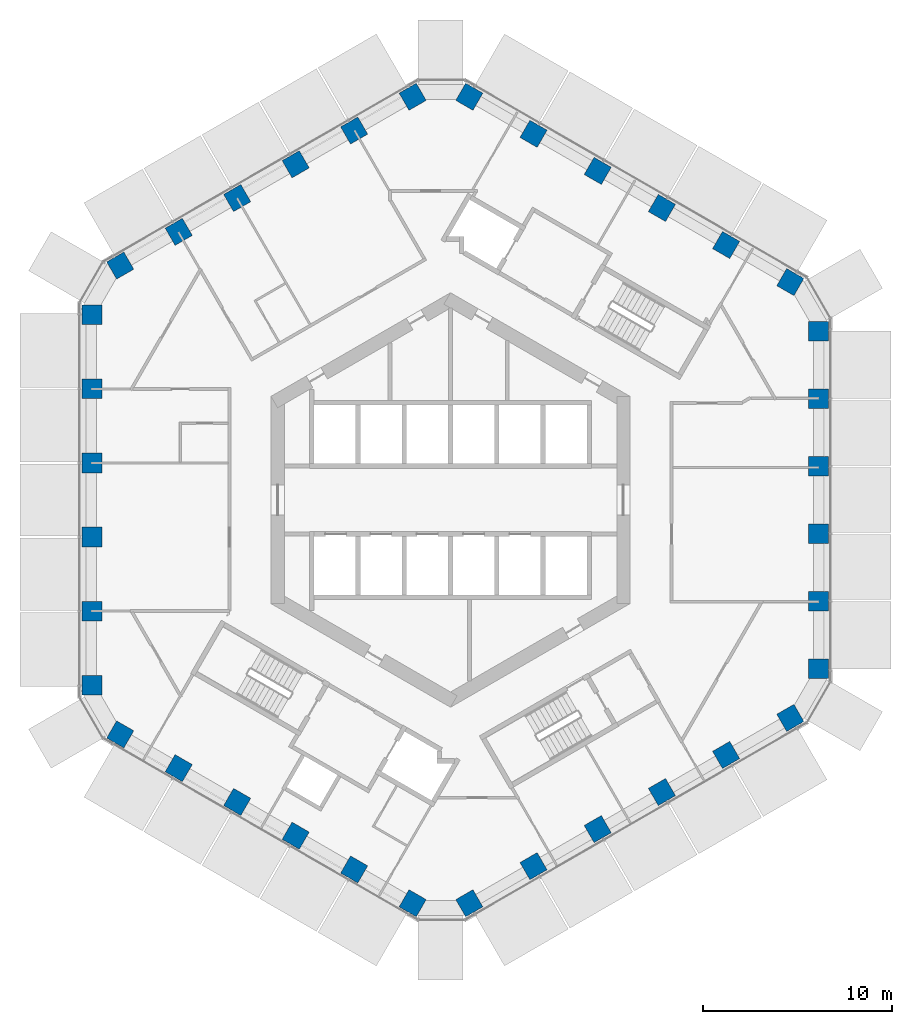
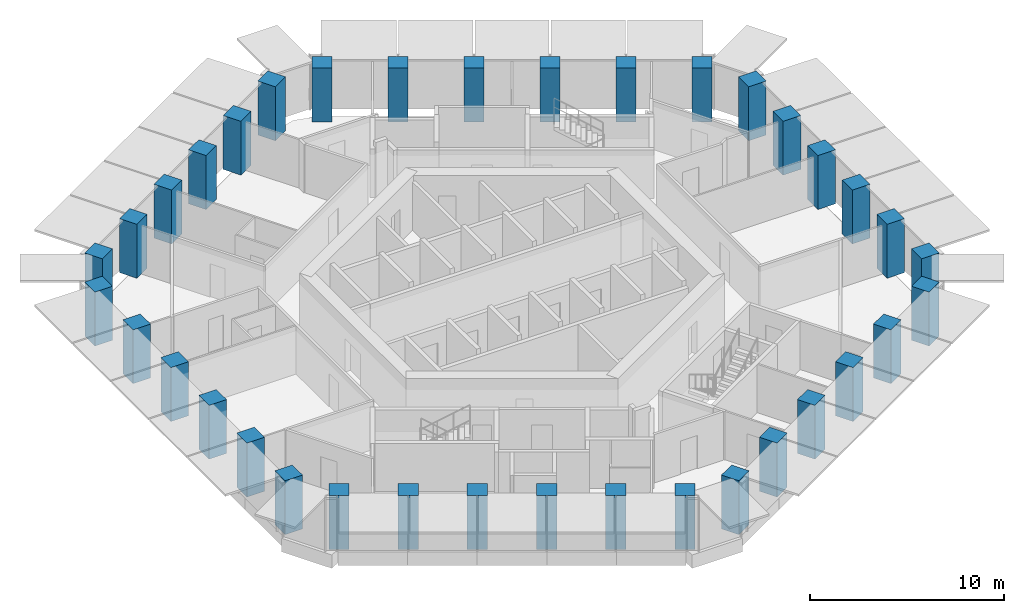
# One storey, part 1 of 18: 36 columns.
"""IFC4 building model written with IfcOpenShell, lengths in metres."""

from ifc_helpers import new_model, si_unit, direction, frame, origin, origin_2d, place, context, subcontext, project, spatial, rectangle, extrude, material, material_profile, profile_set, type_object, element, save


model = new_model("IFC4")

# Units and contexts
model_context = context("Model", 3, precision=1e-05, world=origin(), true_north=direction((0.0, 1.0)))
body_context = subcontext(model_context, "Body", "Model", "MODEL_VIEW")
ifc_project = project(units=[si_unit("LENGTHUNIT", "METRE"), si_unit("AREAUNIT", "SQUARE_METRE"), si_unit("VOLUMEUNIT", "CUBIC_METRE"), si_unit("PLANEANGLEUNIT", "RADIAN"), si_unit("MASSUNIT", "GRAM", prefix="KILO")], contexts=[model_context])

# Site, building, storey
site_placement = place(None, origin())
site = spatial("IfcSite", under=ifc_project, at=site_placement, CompositionType="ELEMENT")
building_placement = place(site_placement, origin())
building = spatial("IfcBuilding", under=site, at=building_placement, Name="Ayvan Gate Tower", CompositionType="ELEMENT")
storey_placement = place(building_placement, frame((0.0, 0.0, 110.300048828125)))
storey = spatial("IfcBuildingStorey", under=building, at=storey_placement, Name="L29", CompositionType="ELEMENT", Elevation=110.300048828125)

# Columns
ifc_material = material(Name="Concrete C60/75", Category="concrete")
ifc_material_profile = material_profile(ifc_material, rectangle(XDim=1.050048828125, YDim=1.050048828125, at=origin_2d()), Name="RC 1050x1050")
ifc_profile_set = profile_set([ifc_material_profile], Name="Concrete C60/75")
column_type = type_object("IfcColumnType", Name="Tube column RC 1050x1050 C60/75", PredefinedType="COLUMN", material=ifc_profile_set)
for number, where, z_axis, x_axis, name in (
    (1, (19.485595703125, -8.935546875, 0.0), (0.0, 0.0, 1.0), (1.0, 0.0, 0.0), "C-T0-0-L29"),
    (2, (19.485595703125, -5.361328125, 0.0), (0.0, 0.0, 1.0), (1.0, 0.0, 0.0), "C-T0-1-L29"),
    (3, (19.485595703125, -1.787109375, 0.0), (0.0, 0.0, 1.0), (1.0, 0.0, 0.0), "C-T0-2-L29"),
    (4, (19.485595703125, 1.787109375, 0.0), (0.0, 0.0, 1.0), (1.0, 0.0, 0.0), "C-T0-3-L29"),
    (5, (19.485595703125, 5.361328125, 0.0), (0.0, 0.0, 1.0), (1.0, 0.0, 0.0), "C-T0-4-L29"),
    (6, (19.485595703125, 8.935546875, 0.0), (0.0, 0.0, 1.0), (1.0, 0.0, 0.0), "C-T0-5-L29"),
    (7, (17.985595703125, 11.533447265625, 0.0), (0.0, 0.0, 1.0), (0.5, 0.866025403784, 0.0), "C-T1-0-L29"),
    (8, (14.587646484375, 13.495361328125, 0.0), (0.0, 0.0, 1.0), (0.5, 0.866025403784, 0.0), "C-T1-1-L29"),
    (9, (11.189453125, 15.457275390625, 0.0), (0.0, 0.0, 1.0), (0.5, 0.866025403784, 0.0), "C-T1-2-L29"),
    (10, (7.79150390625, 17.4189453125, 0.0), (0.0, 0.0, 1.0), (0.5, 0.866025403784, 0.0), "C-T1-3-L29"),
    (11, (4.3935546875, 19.380859375, 0.0), (0.0, 0.0, 1.0), (0.5, 0.866025403784, 0.0), "C-T1-4-L29"),
    (12, (0.99560546875, 21.3427734375, 0.0), (0.0, 0.0, 1.0), (0.5, 0.866025403784, 0.0), "C-T1-5-L29"),
    (13, (-2.00439453125, 21.3427734375, 0.0), (0.0, 0.0, 1.0), (-0.5, 0.866025403784, 0.0), "C-T2-0-L29"),
    (14, (-5.099853515625, 19.5556640625, 0.0), (0.0, 0.0, 1.0), (-0.5, 0.866025403784, 0.0), "C-T2-1-L29"),
    (15, (-8.195068359375, 17.7685546875, 0.0), (0.0, 0.0, 1.0), (-0.5, 0.866025403784, 0.0), "C-T2-2-L29"),
    (16, (-11.29052734375, 15.9814453125, 0.0), (0.0, 0.0, 1.0), (-0.5, 0.866025403784, 0.0), "C-T2-3-L29"),
    (17, (-14.3857421875, 14.1943359375, 0.0), (0.0, 0.0, 1.0), (-0.5, 0.866025403784, 0.0), "C-T2-4-L29"),
    (18, (-17.481201171875, 12.4072265625, 0.0), (0.0, 0.0, 1.0), (-0.5, 0.866025403784, 0.0), "C-T2-5-L29"),
    (19, (-18.981201171875, 9.80908203125, 0.0), (0.0, 0.0, 1.0), (-1.0, 0.0, 0.0), "C-T3-0-L29"),
    (20, (-18.981201171875, 5.885498046875, 0.0), (0.0, 0.0, 1.0), (-1.0, 0.0, 0.0), "C-T3-1-L29"),
    (21, (-18.981201171875, 1.9619140625, 0.0), (0.0, 0.0, 1.0), (-1.0, 0.0, 0.0), "C-T3-2-L29"),
    (22, (-18.981201171875, -1.9619140625, 0.0), (0.0, 0.0, 1.0), (-1.0, 0.0, 0.0), "C-T3-3-L29"),
    (23, (-18.981201171875, -5.885498046875, 0.0), (0.0, 0.0, 1.0), (-1.0, 0.0, 0.0), "C-T3-4-L29"),
    (24, (-18.981201171875, -9.80908203125, 0.0), (0.0, 0.0, 1.0), (-1.0, 0.0, 0.0), "C-T3-5-L29"),
    (25, (-17.481201171875, -12.4072265625, 0.0), (0.0, 0.0, 1.0), (-0.5, -0.866025403784, 0.0), "C-T4-0-L29"),
    (26, (-14.3857421875, -14.1943359375, 0.0), (0.0, 0.0, 1.0), (-0.5, -0.866025403784, 0.0), "C-T4-1-L29"),
    (27, (-11.29052734375, -15.9814453125, 0.0), (0.0, 0.0, 1.0), (-0.5, -0.866025403784, 0.0), "C-T4-2-L29"),
    (28, (-8.195068359375, -17.7685546875, 0.0), (0.0, 0.0, 1.0), (-0.5, -0.866025403784, 0.0), "C-T4-3-L29"),
    (29, (-5.099853515625, -19.5556640625, 0.0), (0.0, 0.0, 1.0), (-0.5, -0.866025403784, 0.0), "C-T4-4-L29"),
    (30, (-2.00439453125, -21.3427734375, 0.0), (0.0, 0.0, 1.0), (-0.5, -0.866025403784, 0.0), "C-T4-5-L29"),
    (31, (0.99560546875, -21.3427734375, 0.0), (0.0, 0.0, 1.0), (0.5, -0.866025403784, 0.0), "C-T5-0-L29"),
    (32, (4.3935546875, -19.380859375, 0.0), (0.0, 0.0, 1.0), (0.5, -0.866025403784, 0.0), "C-T5-1-L29"),
    (33, (7.79150390625, -17.4189453125, 0.0), (0.0, 0.0, 1.0), (0.5, -0.866025403784, 0.0), "C-T5-2-L29"),
    (34, (11.189453125, -15.457275390625, 0.0), (0.0, 0.0, 1.0), (0.5, -0.866025403784, 0.0), "C-T5-3-L29"),
    (35, (14.587646484375, -13.495361328125, 0.0), (0.0, 0.0, 1.0), (0.5, -0.866025403784, 0.0), "C-T5-4-L29"),
    (36, (17.985595703125, -11.533447265625, 0.0), (0.0, 0.0, 1.0), (0.5, -0.866025403784, 0.0), "C-T5-5-L29"),
):
    element("IfcColumn", number, at=place(storey_placement, frame(where, z_axis=z_axis, x_axis=x_axis)), inside=storey, type_object=column_type, Name=name, PredefinedType="COLUMN", context=body_context, shape_type="SweptSolid", body=[
        extrude(rectangle(XDim=1.050048828125, YDim=1.050048828125, at=origin_2d()), origin(), (0.0, 0.0, 1.0), 3.39990234375),
    ])

save(model, "model.ifc")
